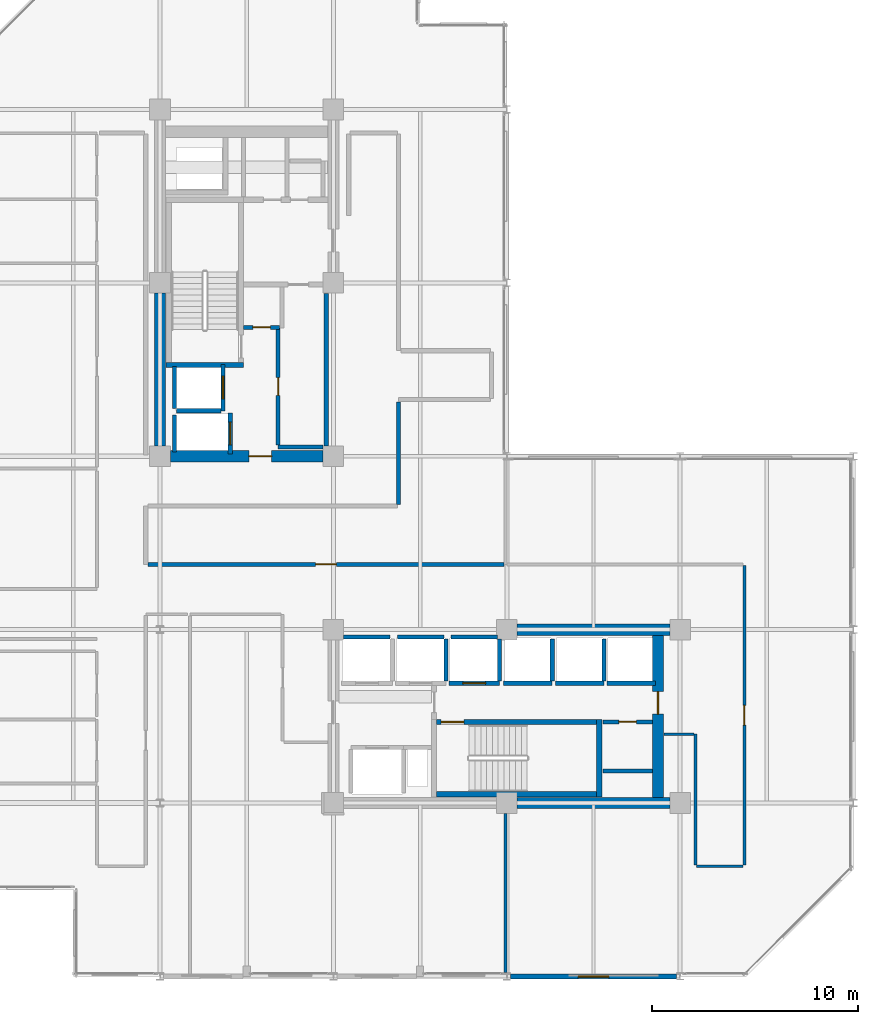
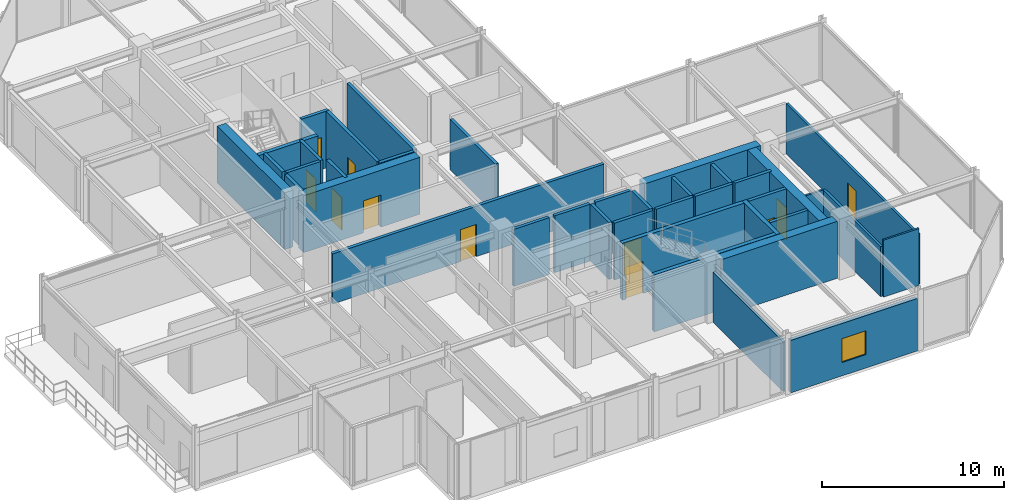
# One storey, part 25 of 29: 39 walls, 11 doors, 1 window, 12 openings.
"""IFC4 building model written with IfcOpenShell, lengths in metres."""

from ifc_helpers import new_model, si_unit, direction, frame, frame_2d, origin, place, context, subcontext, project, spatial, rectangle, extrude, material, layer, layer_set, type_object, element, fill, save


model = new_model("IFC4")

# Units and contexts
model_context = context("Model", 3, precision=1e-05, world=origin(), true_north=direction((0.0, 1.0)))
body_context = subcontext(model_context, "Body", "Model", "MODEL_VIEW")
ifc_project = project(units=[si_unit("LENGTHUNIT", "METRE"), si_unit("AREAUNIT", "SQUARE_METRE"), si_unit("VOLUMEUNIT", "CUBIC_METRE"), si_unit("PLANEANGLEUNIT", "RADIAN"), si_unit("MASSUNIT", "GRAM", prefix="KILO")], contexts=[model_context])

# Site, building, storey
site_placement = place(None, origin())
site = spatial("IfcSite", under=ifc_project, at=site_placement, CompositionType="ELEMENT")
building_placement = place(site_placement, origin())
building = spatial("IfcBuilding", under=site, at=building_placement, Name="Nerrivon Quay Data Exchange", CompositionType="ELEMENT")
storey_placement = place(building_placement, frame((0.0, 0.0, 183.699951171875)))
storey = spatial("IfcBuildingStorey", under=building, at=storey_placement, Name="L43", CompositionType="ELEMENT", Elevation=183.699951171875)

# Wall, opening, window
ifc_material_1 = material(Name="Architectural terracotta precast concrete N50 (50 MPa)", Category="masonry")
ifc_layer_1 = layer(ifc_material_1, 0.239990234375)
ifc_layer_set_1 = layer_set([ifc_layer_1], Name="Architectural terracotta precast concrete N50 (50 MPa)")
wall_type_1 = type_object("IfcWallType", Name="EW-PREC-240", PredefinedType="STANDARD", material=ifc_layer_set_1)
wall_1_placement = place(storey_placement, frame((33.425048828125, 0.0, 0.0), z_axis=(0.0, 0.0, 1.0), x_axis=(-1.0, 0.0, 0.0)))
wall_1 = element("IfcWall", 1, at=wall_1_placement, inside=storey, type_object=wall_type_1, Name="L43 Podium Precast Spandrel Wall 23", PredefinedType="STANDARD", context=body_context, shape_type="SweptSolid", body=[
    extrude(rectangle(XDim=8.050048828125, YDim=0.239990234375, at=frame_2d((4.02490234375, 0.0))), origin(), (0.0, 0.0, 1.0), 3.525146484375),
])
opening_1_placement = place(wall_1_placement, frame((3.27490234375, 0.0, 0.89990234375)))
opening_1 = element("IfcOpeningElement", 2, at=opening_1_placement, cuts=wall_1, Name="Opening WN4", PredefinedType="OPENING", context=body_context, shape_type="SweptSolid", body=[
    extrude(rectangle(XDim=1.5, YDim=1.60009765625, at=frame_2d((0.75, 0.800048828125))), frame((0.0, 0.1298828125, 0.0), z_axis=(0.0, -1.0, 0.0), x_axis=(1.0, 0.0, 0.0)), (0.0, 0.0, 1.0), 0.260009765625),
])
ifc_material_2 = material(Name="Double-glazed low-E solar control glass", Category="glass")
window_type = type_object("IfcWindowType", Name="WIN-W4-1500x1600", PartitioningType="SINGLE_PANEL", PredefinedType="WINDOW", material=ifc_material_2)
window_placement = place(opening_1_placement, origin())
window = element("IfcWindow", 3, at=window_placement, inside=storey, type_object=window_type, Name="L43 Solar Facade Window 23", OverallHeight=1.60009765625, OverallWidth=1.5, PartitioningType="SINGLE_PANEL", PredefinedType="WINDOW", context=body_context, shape_type="SweptSolid", body=[
    extrude(rectangle(XDim=1.5, YDim=1.60009765625, at=frame_2d((0.75, 0.800048828125))), frame((0.0, 0.030029296875, 0.0), z_axis=(0.0, -1.0, 0.0), x_axis=(1.0, 0.0, 0.0)), (0.0, 0.0, 1.0), 0.06005859375),
])
fill(opening_1, window)

# Wall
ifc_material_3 = material(Name="Concrete S65 (65 MPa)", Category="concrete")
ifc_layer_2 = layer(ifc_material_3, 0.550048828125)
ifc_layer_set_2 = layer_set([ifc_layer_2], Name="Concrete S65 (65 MPa)")
wall_type_2 = type_object("IfcWallType", Name="WALL-CW-700", PredefinedType="SHEAR", material=ifc_layer_set_2)
wall_2_placement = place(storey_placement, frame((8.39990234375, 25.699951171875, 0.0), z_axis=(0.0, 0.0, 1.0), x_axis=(0.0, 1.0, 0.0)))
element("IfcWall", 4, at=wall_2_placement, inside=storey, type_object=wall_type_2, Name="L43 West Split-Core Shear Wall WCW-W1", PredefinedType="SHEAR", context=body_context, shape_type="SweptSolid", body=[
    extrude(rectangle(XDim=7.400146484375, YDim=0.550048828125, at=frame_2d((3.7001953125, 0.0))), origin(), (0.0, 0.0, 1.0), 3.824951171875),
])

# Wall, opening, door
wall_3_placement = place(storey_placement, frame((8.89990234375, 25.199951171875, 0.0), z_axis=(0.0, 0.0, 1.0), x_axis=(1.0, 0.0, 0.0)))
wall_3 = element("IfcWall", 5, at=wall_3_placement, inside=storey, type_object=wall_type_2, Name="L43 West Split-Core Shear Wall WCW-S1", PredefinedType="SHEAR", context=body_context, shape_type="SweptSolid", body=[
    extrude(rectangle(XDim=7.400146484375, YDim=0.550048828125, at=frame_2d((3.7001953125, 0.0))), origin(), (0.0, 0.0, 1.0), 3.824951171875),
])
opening_2_placement = place(wall_3_placement, frame((3.800048828125, 0.0, 0.0)))
opening_2 = element("IfcOpeningElement", 6, at=opening_2_placement, cuts=wall_3, Name="Opening FD-120", PredefinedType="OPENING", context=body_context, shape_type="SweptSolid", body=[
    extrude(rectangle(XDim=1.10009765625, YDim=2.14990234375, at=frame_2d((0.550048828125, 1.074951171875))), frame((0.0, 0.284912109375, 0.0), z_axis=(0.0, -1.0, 0.0), x_axis=(1.0, 0.0, 0.0)), (0.0, 0.0, 1.0), 0.570068359375),
])
ifc_material_4 = material(Name="Powder-coated galvanized steel sheet", Category="steel")
door_type_1 = type_object("IfcDoorType", Name="DR-FD120-1100", OperationType="NOTDEFINED", PredefinedType="DOOR", material=ifc_material_4)
door_1_placement = place(opening_2_placement, origin())
door_1 = element("IfcDoor", 7, at=door_1_placement, inside=storey, type_object=door_type_1, Name="L43 West Core Lobby Fire Door", OperationType="SINGLE_SWING_RIGHT", OverallHeight=2.14990234375, OverallWidth=1.10009765625, PredefinedType="DOOR", context=body_context, shape_type="SweptSolid", body=[
    extrude(rectangle(XDim=1.10009765625, YDim=2.14990234375, at=frame_2d((0.550048828125, 1.074951171875))), frame((0.0, 0.02490234375, 0.0), z_axis=(0.0, -1.0, 0.0), x_axis=(1.0, 0.0, 0.0)), (0.0, 0.0, 1.0), 0.050048828125),
])
fill(opening_2, door_1)

# Wall
wall_4_placement = place(storey_placement, frame((25.699951171875, 8.39990234375, 0.0), z_axis=(0.0, 0.0, 1.0), x_axis=(1.0, 0.0, 0.0)))
element("IfcWall", 8, at=wall_4_placement, inside=storey, type_object=wall_type_2, Name="L43 East Split-Core Shear Wall ECW-S2", PredefinedType="SHEAR", context=body_context, shape_type="SweptSolid", body=[
    extrude(rectangle(XDim=7.400146484375, YDim=0.550048828125, at=frame_2d((3.7001953125, 0.0))), origin(), (0.0, 0.0, 1.0), 3.824951171875),
])

# Wall, opening, door
wall_5_placement = place(storey_placement, frame((32.52490234375, 8.675048828125, 0.0), z_axis=(0.0, 0.0, 1.0), x_axis=(0.0, 1.0, 0.0)))
wall_5 = element("IfcWall", 9, at=wall_5_placement, inside=storey, type_object=wall_type_2, Name="L43 East Split-Core Shear Wall ECW-E1", PredefinedType="SHEAR", context=body_context, shape_type="SweptSolid", body=[
    extrude(rectangle(XDim=7.849853515625, YDim=0.550048828125, at=frame_2d((3.9248046875, 0.0))), origin(), (0.0, 0.0, 1.0), 3.824951171875),
])
opening_3_placement = place(wall_5_placement, frame((4.02490234375, 0.0, 0.0)))
opening_3 = element("IfcOpeningElement", 10, at=opening_3_placement, cuts=wall_5, Name="Opening FD-120", PredefinedType="OPENING", context=body_context, shape_type="SweptSolid", body=[
    extrude(rectangle(XDim=1.10009765625, YDim=2.14990234375, at=frame_2d((0.550048828125, 1.074951171875))), frame((0.0, 0.284912109375, 0.0), z_axis=(0.0, -1.0, 0.0), x_axis=(1.0, 0.0, 0.0)), (0.0, 0.0, 1.0), 0.570068359375),
])
door_2_placement = place(opening_3_placement, origin())
door_2 = element("IfcDoor", 11, at=door_2_placement, inside=storey, type_object=door_type_1, Name="L43 East Core Lobby Fire Door", OperationType="SINGLE_SWING_LEFT", OverallHeight=2.14990234375, OverallWidth=1.10009765625, PredefinedType="DOOR", context=body_context, shape_type="SweptSolid", body=[
    extrude(rectangle(XDim=1.10009765625, YDim=2.14990234375, at=frame_2d((0.550048828125, 1.074951171875))), frame((0.0, 0.02490234375, 0.0), z_axis=(0.0, -1.0, 0.0), x_axis=(1.0, 0.0, 0.0)), (0.0, 0.0, 1.0), 0.050048828125),
])
fill(opening_3, door_2)

# Wall
wall_6_placement = place(storey_placement, frame((25.699951171875, 16.800048828125, 0.0), z_axis=(0.0, 0.0, 1.0), x_axis=(1.0, 0.0, 0.0)))
element("IfcWall", 12, at=wall_6_placement, inside=storey, type_object=wall_type_2, Name="L43 East Split-Core Shear Wall ECW-N1", PredefinedType="SHEAR", context=body_context, shape_type="SweptSolid", body=[
    extrude(rectangle(XDim=7.400146484375, YDim=0.550048828125, at=frame_2d((3.7001953125, 0.0))), origin(), (0.0, 0.0, 1.0), 3.824951171875),
])

# Wall, opening, door
ifc_material_5 = material(Name="Gypsum plasterboard on cold-formed framing", Category="gypsum")
ifc_layer_3 = layer(ifc_material_5, 0.199951171875)
ifc_layer_set_3 = layer_set([ifc_layer_3], Name="Gypsum plasterboard on cold-formed framing")
wall_type_3 = type_object("IfcWallType", Name="WALL-FW-200", PredefinedType="PARTITIONING", material=ifc_layer_set_3)
wall_7_placement = place(storey_placement, frame((11.449951171875, 27.39990234375, 0.0), z_axis=(0.0, 0.0, 1.0), x_axis=(0.0, 1.0, 0.0)))
wall_7 = element("IfcWall", 13, at=wall_7_placement, inside=storey, type_object=wall_type_3, Name="L43 Lift Front Wall FFL-1", PredefinedType="PARTITIONING", context=body_context, shape_type="SweptSolid", body=[
    extrude(rectangle(XDim=2.25, YDim=0.199951171875, at=frame_2d((1.125, 0.0))), origin(), (0.0, 0.0, 1.0), 3.824951171875),
])
opening_4_placement = place(wall_7_placement, frame((0.574951171875, 0.0, 0.0)))
opening_4 = element("IfcOpeningElement", 14, at=opening_4_placement, cuts=wall_7, Name="Opening LD-120", PredefinedType="OPENING", context=body_context, shape_type="SweptSolid", body=[
    extrude(rectangle(XDim=1.10009765625, YDim=2.199951171875, at=frame_2d((0.550048828125, 1.10009765625))), frame((0.0, 0.10986328125, 0.0), z_axis=(0.0, -1.0, 0.0), x_axis=(1.0, 0.0, 0.0)), (0.0, 0.0, 1.0), 0.219970703125),
])
door_type_2 = type_object("IfcDoorType", Name="DR-LIFT-LD120", OperationType="DOUBLE_DOOR_SLIDING", PredefinedType="DOOR", material=ifc_material_4)
door_3_placement = place(opening_4_placement, origin())
door_3 = element("IfcDoor", 15, at=door_3_placement, inside=storey, type_object=door_type_2, Name="L43 Lift Landing Sliding Door FFL-1", OperationType="DOUBLE_DOOR_SLIDING", OverallHeight=2.199951171875, OverallWidth=1.10009765625, PredefinedType="DOOR", context=body_context, shape_type="SweptSolid", body=[
    extrude(rectangle(XDim=1.10009765625, YDim=2.199951171875, at=frame_2d((0.550048828125, 1.10009765625))), frame((0.0, 0.02490234375, 0.0), z_axis=(0.0, -1.0, 0.0), x_axis=(1.0, 0.0, 0.0)), (0.0, 0.0, 1.0), 0.050048828125),
])
fill(opening_4, door_3)

# Walls
wall_8_placement = place(storey_placement, frame((9.10009765625, 27.5, 0.0), z_axis=(0.0, 0.0, 1.0), x_axis=(0.0, 1.0, 0.0)))
element("IfcWall", 16, at=wall_8_placement, inside=storey, type_object=wall_type_3, Name="L43 Lift Shaft Wall FFL-1 WEST", PredefinedType="PARTITIONING", context=body_context, shape_type="SweptSolid", body=[
    extrude(rectangle(XDim=2.050048828125, YDim=0.199951171875, at=frame_2d((1.02490234375, 0.0))), origin(), (0.0, 0.0, 1.0), 3.824951171875),
])
wall_9_placement = place(storey_placement, frame((9.199951171875, 27.39990234375, 0.0), z_axis=(0.0, 0.0, 1.0), x_axis=(1.0, 0.0, 0.0)))
element("IfcWall", 17, at=wall_9_placement, inside=storey, type_object=wall_type_3, Name="L43 Lift Shaft Wall FFL-1 SOUTH", PredefinedType="PARTITIONING", context=body_context, shape_type="SweptSolid", body=[
    extrude(rectangle(XDim=2.150146484375, YDim=0.199951171875, at=frame_2d((1.0751953125, 0.0))), origin(), (0.0, 0.0, 1.0), 3.824951171875),
])

# Wall, opening, door
wall_10_placement = place(storey_placement, frame((11.800048828125, 25.300048828125, 0.0), z_axis=(0.0, 0.0, 1.0), x_axis=(0.0, 1.0, 0.0)))
wall_10 = element("IfcWall", 18, at=wall_10_placement, inside=storey, type_object=wall_type_3, Name="L43 Lift Front Wall SVL-1", PredefinedType="PARTITIONING", context=body_context, shape_type="SweptSolid", body=[
    extrude(rectangle(XDim=2.0, YDim=0.199951171875, at=frame_2d((1.0, 0.0))), origin(), (0.0, 0.0, 1.0), 3.824951171875),
])
opening_5_placement = place(wall_10_placement, frame((0.449951171875, 0.0, 0.0)))
opening_5 = element("IfcOpeningElement", 19, at=opening_5_placement, cuts=wall_10, Name="Opening LD-120", PredefinedType="OPENING", context=body_context, shape_type="SweptSolid", body=[
    extrude(rectangle(XDim=1.10009765625, YDim=2.199951171875, at=frame_2d((0.550048828125, 1.10009765625))), frame((0.0, 0.10986328125, 0.0), z_axis=(0.0, -1.0, 0.0), x_axis=(1.0, 0.0, 0.0)), (0.0, 0.0, 1.0), 0.219970703125),
])
door_4_placement = place(opening_5_placement, origin())
door_4 = element("IfcDoor", 20, at=door_4_placement, inside=storey, type_object=door_type_2, Name="L43 Lift Landing Sliding Door SVL-1", OperationType="DOUBLE_DOOR_SLIDING", OverallHeight=2.199951171875, OverallWidth=1.10009765625, PredefinedType="DOOR", context=body_context, shape_type="SweptSolid", body=[
    extrude(rectangle(XDim=1.10009765625, YDim=2.199951171875, at=frame_2d((0.550048828125, 1.10009765625))), frame((0.0, 0.02490234375, 0.0), z_axis=(0.0, -1.0, 0.0), x_axis=(1.0, 0.0, 0.0)), (0.0, 0.0, 1.0), 0.050048828125),
])
fill(opening_5, door_4)

# Walls
wall_11_placement = place(storey_placement, frame((9.10009765625, 25.39990234375, 0.0), z_axis=(0.0, 0.0, 1.0), x_axis=(0.0, 1.0, 0.0)))
element("IfcWall", 21, at=wall_11_placement, inside=storey, type_object=wall_type_3, Name="L43 Lift Shaft Wall SVL-1 WEST", PredefinedType="PARTITIONING", context=body_context, shape_type="SweptSolid", body=[
    extrude(rectangle(XDim=1.800048828125, YDim=0.199951171875, at=frame_2d((0.89990234375, 0.0))), origin(), (0.0, 0.0, 1.0), 3.824951171875),
])
wall_12_placement = place(storey_placement, frame((17.300048828125, 16.449951171875, 0.0), z_axis=(0.0, 0.0, 1.0), x_axis=(1.0, 0.0, 0.0)))
element("IfcWall", 22, at=wall_12_placement, inside=storey, type_object=wall_type_3, Name="L43 Lift Shaft Wall PL4 NORTH", PredefinedType="PARTITIONING", context=body_context, shape_type="SweptSolid", body=[
    extrude(rectangle(XDim=2.25, YDim=0.199951171875, at=frame_2d((1.125, 0.0))), origin(), (0.0, 0.0, 1.0), 3.824951171875),
])
wall_13_placement = place(storey_placement, frame((22.25, 14.300048828125, 0.0), z_axis=(0.0, 0.0, 1.0), x_axis=(0.0, 1.0, 0.0)))
element("IfcWall", 23, at=wall_13_placement, inside=storey, type_object=wall_type_3, Name="L43 Lift Shaft Wall PL5 EAST", PredefinedType="PARTITIONING", context=body_context, shape_type="SweptSolid", body=[
    extrude(rectangle(XDim=2.050048828125, YDim=0.199951171875, at=frame_2d((1.02490234375, 0.0))), origin(), (0.0, 0.0, 1.0), 3.824951171875),
])
wall_14_placement = place(storey_placement, frame((19.89990234375, 16.449951171875, 0.0), z_axis=(0.0, 0.0, 1.0), x_axis=(1.0, 0.0, 0.0)))
element("IfcWall", 24, at=wall_14_placement, inside=storey, type_object=wall_type_3, Name="L43 Lift Shaft Wall PL5 NORTH", PredefinedType="PARTITIONING", context=body_context, shape_type="SweptSolid", body=[
    extrude(rectangle(XDim=2.25, YDim=0.199951171875, at=frame_2d((1.125, 0.0))), origin(), (0.0, 0.0, 1.0), 3.824951171875),
])

# Wall, opening, door
wall_15_placement = place(storey_placement, frame((22.39990234375, 14.199951171875, 0.0), z_axis=(0.0, 0.0, 1.0), x_axis=(1.0, 0.0, 0.0)))
wall_15 = element("IfcWall", 25, at=wall_15_placement, inside=storey, type_object=wall_type_3, Name="L43 Lift Front Wall PL6", PredefinedType="PARTITIONING", context=body_context, shape_type="SweptSolid", body=[
    extrude(rectangle(XDim=2.4501953125, YDim=0.199951171875, at=frame_2d((1.22509765625, 0.0))), origin(), (0.0, 0.0, 1.0), 3.824951171875),
])
opening_6_placement = place(wall_15_placement, frame((0.675048828125, 0.0, 0.0)))
opening_6 = element("IfcOpeningElement", 26, at=opening_6_placement, cuts=wall_15, Name="Opening LD-120", PredefinedType="OPENING", context=body_context, shape_type="SweptSolid", body=[
    extrude(rectangle(XDim=1.10009765625, YDim=2.199951171875, at=frame_2d((0.550048828125, 1.10009765625))), frame((0.0, 0.10986328125, 0.0), z_axis=(0.0, -1.0, 0.0), x_axis=(1.0, 0.0, 0.0)), (0.0, 0.0, 1.0), 0.219970703125),
])
door_5_placement = place(opening_6_placement, origin())
door_5 = element("IfcDoor", 27, at=door_5_placement, inside=storey, type_object=door_type_2, Name="L43 Lift Landing Sliding Door PL6", OperationType="DOUBLE_DOOR_SLIDING", OverallHeight=2.199951171875, OverallWidth=1.10009765625, PredefinedType="DOOR", context=body_context, shape_type="SweptSolid", body=[
    extrude(rectangle(XDim=1.10009765625, YDim=2.199951171875, at=frame_2d((0.550048828125, 1.10009765625))), frame((0.0, 0.02490234375, 0.0), z_axis=(0.0, -1.0, 0.0), x_axis=(1.0, 0.0, 0.0)), (0.0, 0.0, 1.0), 0.050048828125),
])
fill(opening_6, door_5)

# Walls
wall_16_placement = place(storey_placement, frame((24.85009765625, 14.300048828125, 0.0), z_axis=(0.0, 0.0, 1.0), x_axis=(0.0, 1.0, 0.0)))
element("IfcWall", 28, at=wall_16_placement, inside=storey, type_object=wall_type_3, Name="L43 Lift Shaft Wall PL6 EAST", PredefinedType="PARTITIONING", context=body_context, shape_type="SweptSolid", body=[
    extrude(rectangle(XDim=2.050048828125, YDim=0.199951171875, at=frame_2d((1.02490234375, 0.0))), origin(), (0.0, 0.0, 1.0), 3.824951171875),
])
wall_17_placement = place(storey_placement, frame((22.5, 16.449951171875, 0.0), z_axis=(0.0, 0.0, 1.0), x_axis=(1.0, 0.0, 0.0)))
element("IfcWall", 29, at=wall_17_placement, inside=storey, type_object=wall_type_3, Name="L43 Lift Shaft Wall PL6 NORTH", PredefinedType="PARTITIONING", context=body_context, shape_type="SweptSolid", body=[
    extrude(rectangle(XDim=2.25, YDim=0.199951171875, at=frame_2d((1.125, 0.0))), origin(), (0.0, 0.0, 1.0), 3.824951171875),
])
wall_18_placement = place(storey_placement, frame((25.050048828125, 14.199951171875, 0.0), z_axis=(0.0, 0.0, 1.0), x_axis=(1.0, 0.0, 0.0)))
element("IfcWall", 30, at=wall_18_placement, inside=storey, type_object=wall_type_3, Name="L43 Lift Front Wall PL7", PredefinedType="PARTITIONING", context=body_context, shape_type="SweptSolid", body=[
    extrude(rectangle(XDim=2.349853515625, YDim=0.199951171875, at=frame_2d((1.1748046875, 0.0))), origin(), (0.0, 0.0, 1.0), 3.824951171875),
])
wall_19_placement = place(storey_placement, frame((27.39990234375, 14.300048828125, 0.0), z_axis=(0.0, 0.0, 1.0), x_axis=(0.0, 1.0, 0.0)))
element("IfcWall", 31, at=wall_19_placement, inside=storey, type_object=wall_type_3, Name="L43 Lift Shaft Wall PL7 EAST", PredefinedType="PARTITIONING", context=body_context, shape_type="SweptSolid", body=[
    extrude(rectangle(XDim=2.050048828125, YDim=0.199951171875, at=frame_2d((1.02490234375, 0.0))), origin(), (0.0, 0.0, 1.0), 3.824951171875),
])
wall_20_placement = place(storey_placement, frame((27.550048828125, 14.199951171875, 0.0), z_axis=(0.0, 0.0, 1.0), x_axis=(1.0, 0.0, 0.0)))
element("IfcWall", 32, at=wall_20_placement, inside=storey, type_object=wall_type_3, Name="L43 Lift Front Wall PL8", PredefinedType="PARTITIONING", context=body_context, shape_type="SweptSolid", body=[
    extrude(rectangle(XDim=2.349853515625, YDim=0.199951171875, at=frame_2d((1.1748046875, 0.0))), origin(), (0.0, 0.0, 1.0), 3.824951171875),
])
wall_21_placement = place(storey_placement, frame((29.89990234375, 14.300048828125, 0.0), z_axis=(0.0, 0.0, 1.0), x_axis=(0.0, 1.0, 0.0)))
element("IfcWall", 33, at=wall_21_placement, inside=storey, type_object=wall_type_3, Name="L43 Lift Shaft Wall PL8 EAST", PredefinedType="PARTITIONING", context=body_context, shape_type="SweptSolid", body=[
    extrude(rectangle(XDim=2.050048828125, YDim=0.199951171875, at=frame_2d((1.02490234375, 0.0))), origin(), (0.0, 0.0, 1.0), 3.824951171875),
])
wall_22_placement = place(storey_placement, frame((30.050048828125, 14.199951171875, 0.0), z_axis=(0.0, 0.0, 1.0), x_axis=(1.0, 0.0, 0.0)))
element("IfcWall", 34, at=wall_22_placement, inside=storey, type_object=wall_type_3, Name="L43 Lift Front Wall PL9", PredefinedType="PARTITIONING", context=body_context, shape_type="SweptSolid", body=[
    extrude(rectangle(XDim=2.349853515625, YDim=0.199951171875, at=frame_2d((1.1748046875, 0.0))), origin(), (0.0, 0.0, 1.0), 3.824951171875),
])
wall_23_placement = place(storey_placement, frame((14.1201171875, 25.64990234375, 0.0), z_axis=(0.0, 0.0, 1.0), x_axis=(1.0, 0.0, 0.0)))
element("IfcWall", 35, at=wall_23_placement, inside=storey, type_object=wall_type_3, Name="L43 Partition Core Equipment Store", PredefinedType="PARTITIONING", context=body_context, shape_type="SweptSolid", body=[
    extrude(rectangle(XDim=2.1748046875, YDim=0.199951171875, at=frame_2d((1.08740234375, 0.0))), origin(), (0.0, 0.0, 1.0), 3.824951171875),
])
wall_24_placement = place(storey_placement, frame((16.449951171875, 25.705078125, 0.0), z_axis=(0.0, 0.0, 1.0), x_axis=(0.0, 1.0, 0.0)))
element("IfcWall", 36, at=wall_24_placement, inside=storey, type_object=wall_type_3, Name="L43 Partition Core Equipment Store", PredefinedType="PARTITIONING", context=body_context, shape_type="SweptSolid", body=[
    extrude(rectangle(XDim=7.389892578125, YDim=0.199951171875, at=frame_2d((3.69482421875, 0.0))), origin(), (0.0, 0.0, 1.0), 3.824951171875),
])

# Wall, opening, door
wall_25_placement = place(storey_placement, frame((14.1201171875, 31.39990234375, 0.0), z_axis=(0.0, 0.0, 1.0), x_axis=(0.0, -1.0, 0.0)))
wall_25 = element("IfcWall", 37, at=wall_25_placement, inside=storey, type_object=wall_type_3, Name="L43 Partition Core Equipment Store", PredefinedType="PARTITIONING", context=body_context, shape_type="SweptSolid", body=[
    extrude(rectangle(XDim=5.64599609375, YDim=0.199951171875, at=frame_2d((2.822998046875, 0.0))), origin(), (0.0, 0.0, 1.0), 3.824951171875),
])
opening_7_placement = place(wall_25_placement, frame((2.39794921875, 0.0, 0.0)))
opening_7 = element("IfcOpeningElement", 38, at=opening_7_placement, cuts=wall_25, Name="Opening FD-60S", PredefinedType="OPENING", context=body_context, shape_type="SweptSolid", body=[
    extrude(rectangle(XDim=0.85009765625, YDim=2.14990234375, at=frame_2d((0.425048828125, 1.074951171875))), frame((0.0, 0.10986328125, 0.0), z_axis=(0.0, -1.0, 0.0), x_axis=(1.0, 0.0, 0.0)), (0.0, 0.0, 1.0), 0.219970703125),
])
ifc_material_6 = material(Name="Engineered hardwood timber", Category="wood")
door_type_3 = type_object("IfcDoorType", Name="DR-FD60-850", OperationType="NOTDEFINED", PredefinedType="DOOR", material=ifc_material_6)
door_6_placement = place(opening_7_placement, origin())
door_6 = element("IfcDoor", 39, at=door_6_placement, inside=storey, type_object=door_type_3, Name="L43 Door Core Equipment Store", OperationType="SINGLE_SWING_LEFT", OverallHeight=2.14990234375, OverallWidth=0.85009765625, PredefinedType="DOOR", context=body_context, shape_type="SweptSolid", body=[
    extrude(rectangle(XDim=0.85009765625, YDim=2.14990234375, at=frame_2d((0.425048828125, 1.074951171875))), frame((0.0, 0.02490234375, 0.0), z_axis=(0.0, -1.0, 0.0), x_axis=(1.0, 0.0, 0.0)), (0.0, 0.0, 1.0), 0.050048828125),
])
fill(opening_7, door_6)

wall_26_placement = place(storey_placement, frame((12.4541015625, 31.43994140625, 0.0), z_axis=(0.0, 0.0, 1.0), x_axis=(1.0, 0.0, 0.0)))
wall_26 = element("IfcWall", 40, at=wall_26_placement, inside=storey, type_object=wall_type_3, Name="L43 Partition Optical Patch Closet", PredefinedType="PARTITIONING", context=body_context, shape_type="SweptSolid", body=[
    extrude(rectangle(XDim=1.725830078125, YDim=0.199951171875, at=frame_2d((0.86279296875, 0.0))), origin(), (0.0, 0.0, 1.0), 3.824951171875),
])
opening_8_placement = place(wall_26_placement, frame((0.43798828125, 0.0, 0.0)))
opening_8 = element("IfcOpeningElement", 41, at=opening_8_placement, cuts=wall_26, Name="Opening FD-60S", PredefinedType="OPENING", context=body_context, shape_type="SweptSolid", body=[
    extrude(rectangle(XDim=0.85009765625, YDim=2.14990234375, at=frame_2d((0.425048828125, 1.074951171875))), frame((0.0, 0.10986328125, 0.0), z_axis=(0.0, -1.0, 0.0), x_axis=(1.0, 0.0, 0.0)), (0.0, 0.0, 1.0), 0.219970703125),
])
door_7_placement = place(opening_8_placement, origin())
door_7 = element("IfcDoor", 42, at=door_7_placement, inside=storey, type_object=door_type_3, Name="L43 Door Optical Patch Closet", OperationType="SINGLE_SWING_RIGHT", OverallHeight=2.14990234375, OverallWidth=0.85009765625, PredefinedType="DOOR", context=body_context, shape_type="SweptSolid", body=[
    extrude(rectangle(XDim=0.85009765625, YDim=2.14990234375, at=frame_2d((0.425048828125, 1.074951171875))), frame((0.0, 0.02490234375, 0.0), z_axis=(0.0, -1.0, 0.0), x_axis=(1.0, 0.0, 0.0)), (0.0, 0.0, 1.0), 0.050048828125),
])
fill(opening_8, door_7)

wall_27_placement = place(storey_placement, frame((32.24609375, 12.330078125, 0.0), z_axis=(0.0, 0.0, 1.0), x_axis=(-1.0, 0.0, 0.0)))
wall_27 = element("IfcWall", 43, at=wall_27_placement, inside=storey, type_object=wall_type_3, Name="L43 Partition East Supply Store", PredefinedType="PARTITIONING", context=body_context, shape_type="SweptSolid", body=[
    extrude(rectangle(XDim=2.39599609375, YDim=0.199951171875, at=frame_2d((1.197998046875, 0.0))), origin(), (0.0, 0.0, 1.0), 3.824951171875),
])
opening_9_placement = place(wall_27_placement, frame((0.77294921875, 0.0, 0.0)))
opening_9 = element("IfcOpeningElement", 44, at=opening_9_placement, cuts=wall_27, Name="Opening FD-60S", PredefinedType="OPENING", context=body_context, shape_type="SweptSolid", body=[
    extrude(rectangle(XDim=0.85009765625, YDim=2.14990234375, at=frame_2d((0.425048828125, 1.074951171875))), frame((0.0, 0.10986328125, 0.0), z_axis=(0.0, -1.0, 0.0), x_axis=(1.0, 0.0, 0.0)), (0.0, 0.0, 1.0), 0.219970703125),
])
door_8_placement = place(opening_9_placement, origin())
door_8 = element("IfcDoor", 45, at=door_8_placement, inside=storey, type_object=door_type_3, Name="L43 Door East Supply Store", OperationType="SINGLE_SWING_LEFT", OverallHeight=2.14990234375, OverallWidth=0.85009765625, PredefinedType="DOOR", context=body_context, shape_type="SweptSolid", body=[
    extrude(rectangle(XDim=0.85009765625, YDim=2.14990234375, at=frame_2d((0.425048828125, 1.074951171875))), frame((0.0, 0.02490234375, 0.0), z_axis=(0.0, -1.0, 0.0), x_axis=(1.0, 0.0, 0.0)), (0.0, 0.0, 1.0), 0.050048828125),
])
fill(opening_9, door_8)

# Wall
wall_28_placement = place(storey_placement, frame((29.85009765625, 9.949951171875, 0.0), z_axis=(0.0, 0.0, 1.0), x_axis=(1.0, 0.0, 0.0)))
element("IfcWall", 46, at=wall_28_placement, inside=storey, type_object=wall_type_3, Name="L43 Partition East Supply Store", PredefinedType="PARTITIONING", context=body_context, shape_type="SweptSolid", body=[
    extrude(rectangle(XDim=2.39599609375, YDim=0.199951171875, at=frame_2d((1.197998046875, 0.0))), origin(), (0.0, 0.0, 1.0), 3.824951171875),
])

# Wall, opening, door
wall_29_placement = place(storey_placement, frame((7.81396484375, 19.9599609375, 0.0), z_axis=(0.0, 0.0, 1.0), x_axis=(1.0, 0.0, 0.0)))
wall_29 = element("IfcWall", 47, at=wall_29_placement, inside=storey, type_object=wall_type_3, Name="L43 Partition Colocation Data Workspace 1", PredefinedType="PARTITIONING", context=body_context, shape_type="SweptSolid", body=[
    extrude(rectangle(XDim=17.25244140625, YDim=0.199951171875, at=frame_2d((8.626220703125, 0.0))), origin(), (0.0, 0.0, 1.0), 3.37109375),
])
opening_10_placement = place(wall_29_placement, frame((8.126220703125, 0.0, 0.0)))
opening_10 = element("IfcOpeningElement", 48, at=opening_10_placement, cuts=wall_29, Name="Opening FD-60", PredefinedType="OPENING", context=body_context, shape_type="SweptSolid", body=[
    extrude(rectangle(XDim=1.0, YDim=2.14990234375, at=frame_2d((0.5, 1.074951171875))), frame((0.0, 0.10986328125, 0.0), z_axis=(0.0, -1.0, 0.0), x_axis=(1.0, 0.0, 0.0)), (0.0, 0.0, 1.0), 0.219970703125),
])
door_type_4 = type_object("IfcDoorType", Name="DR-FD60-1000", OperationType="NOTDEFINED", PredefinedType="DOOR", material=ifc_material_6)
door_9_placement = place(opening_10_placement, origin())
door_9 = element("IfcDoor", 49, at=door_9_placement, inside=storey, type_object=door_type_4, Name="L43 Door Colocation Data Workspace 1", OperationType="SINGLE_SWING_RIGHT", OverallHeight=2.14990234375, OverallWidth=1.0, PredefinedType="DOOR", context=body_context, shape_type="SweptSolid", body=[
    extrude(rectangle(XDim=1.0, YDim=2.14990234375, at=frame_2d((0.5, 1.074951171875))), frame((0.0, 0.02490234375, 0.0), z_axis=(0.0, -1.0, 0.0), x_axis=(1.0, 0.0, 0.0)), (0.0, 0.0, 1.0), 0.050048828125),
])
fill(opening_10, door_9)

# Walls
wall_30_placement = place(storey_placement, frame((19.9599609375, 27.8359375, 0.0), z_axis=(0.0, 0.0, 1.0), x_axis=(0.0, -1.0, 0.0)))
element("IfcWall", 50, at=wall_30_placement, inside=storey, type_object=wall_type_3, Name="L43 Partition Colocation Data Workspace 1", PredefinedType="PARTITIONING", context=body_context, shape_type="SweptSolid", body=[
    extrude(rectangle(XDim=4.98583984375, YDim=0.199951171875, at=frame_2d((2.492919921875, 0.0))), origin(), (0.0, 0.0, 1.0), 3.364990234375),
])
ifc_layer_4 = layer(ifc_material_5, 0.1201171875)
ifc_layer_set_4 = layer_set([ifc_layer_4], Name="Gypsum plasterboard on cold-formed framing")
wall_type_4 = type_object("IfcWallType", Name="WALL-PT-120", PredefinedType="PARTITIONING", material=ifc_layer_set_4)
wall_31_placement = place(storey_placement, frame((36.64990234375, 5.340087890625, 0.0), z_axis=(0.0, 0.0, 1.0), x_axis=(-1.0, 0.0, 0.0)))
element("IfcWall", 51, at=wall_31_placement, inside=storey, type_object=wall_type_4, Name="L43 Partition Technical Library", PredefinedType="PARTITIONING", context=body_context, shape_type="SweptSolid", body=[
    extrude(rectangle(XDim=2.25, YDim=0.1201171875, at=frame_2d((1.125, 0.0))), origin(), (0.0, 0.0, 1.0), 3.824951171875),
])
wall_32_placement = place(storey_placement, frame((34.260986328125, 11.739990234375, 0.0), z_axis=(0.0, 0.0, 1.0), x_axis=(-1.0, 0.0, 0.0)))
element("IfcWall", 52, at=wall_32_placement, inside=storey, type_object=wall_type_4, Name="L43 Partition Technical Library", PredefinedType="PARTITIONING", context=body_context, shape_type="SweptSolid", body=[
    extrude(rectangle(XDim=1.45703125, YDim=0.1201171875, at=frame_2d((0.728515625, 0.0))), origin(), (0.0, 0.0, 1.0), 3.37109375),
])
ifc_layer_5 = layer(ifc_material_5, 0.14990234375)
ifc_layer_set_5 = layer_set([ifc_layer_5], Name="Gypsum plasterboard on cold-formed framing")
wall_type_5 = type_object("IfcWallType", Name="WALL-PT-150", PredefinedType="PARTITIONING", material=ifc_layer_set_5)
wall_33_placement = place(storey_placement, frame((25.137939453125, 0.195068359375, 0.0), z_axis=(0.0, 0.0, 1.0), x_axis=(0.0, 1.0, 0.0)))
element("IfcWall", 53, at=wall_33_placement, inside=storey, type_object=wall_type_5, Name="L43 Partition Client Conference Room 1", PredefinedType="PARTITIONING", context=body_context, shape_type="SweptSolid", body=[
    extrude(rectangle(XDim=7.684814453125, YDim=0.14990234375, at=frame_2d((3.84228515625, 0.0))), origin(), (0.0, 0.0, 1.0), 3.37109375),
])

# Wall, opening, door
wall_34_placement = place(storey_placement, frame((36.7099609375, 19.89990234375, 0.0), z_axis=(0.0, 0.0, 1.0), x_axis=(0.0, -1.0, 0.0)))
wall_34 = element("IfcWall", 54, at=wall_34_placement, inside=storey, type_object=wall_type_5, Name="L43 Partition Technical Library", PredefinedType="PARTITIONING", context=body_context, shape_type="SweptSolid", body=[
    extrude(rectangle(XDim=14.5, YDim=0.14990234375, at=frame_2d((7.25, 0.0))), origin(), (0.0, 0.0, 1.0), 3.364990234375),
])
opening_11_placement = place(wall_34_placement, frame((6.77490234375, 0.0, 0.0)))
opening_11 = element("IfcOpeningElement", 55, at=opening_11_placement, cuts=wall_34, Name="Opening D-01", PredefinedType="OPENING", context=body_context, shape_type="SweptSolid", body=[
    extrude(rectangle(XDim=0.949951171875, YDim=2.14990234375, at=frame_2d((0.47509765625, 1.074951171875))), frame((0.0, 0.0849609375, 0.0), z_axis=(0.0, -1.0, 0.0), x_axis=(1.0, 0.0, 0.0)), (0.0, 0.0, 1.0), 0.169921875),
])
door_type_5 = type_object("IfcDoorType", Name="DR-INT-950", OperationType="NOTDEFINED", PredefinedType="DOOR", material=ifc_material_6)
door_10_placement = place(opening_11_placement, origin())
door_10 = element("IfcDoor", 56, at=door_10_placement, inside=storey, type_object=door_type_5, Name="L43 Door Technical Library", OperationType="SINGLE_SWING_LEFT", OverallHeight=2.14990234375, OverallWidth=0.949951171875, PredefinedType="DOOR", context=body_context, shape_type="SweptSolid", body=[
    extrude(rectangle(XDim=0.949951171875, YDim=2.14990234375, at=frame_2d((0.47509765625, 1.074951171875))), frame((0.0, 0.02490234375, 0.0), z_axis=(0.0, -1.0, 0.0), x_axis=(1.0, 0.0, 0.0)), (0.0, 0.0, 1.0), 0.050048828125),
])
fill(opening_11, door_10)

# Walls
wall_35_placement = place(storey_placement, frame((34.340087890625, 5.39990234375, 0.0), z_axis=(0.0, 0.0, 1.0), x_axis=(0.0, 1.0, 0.0)))
element("IfcWall", 57, at=wall_35_placement, inside=storey, type_object=wall_type_5, Name="L43 Partition Technical Library", PredefinedType="PARTITIONING", context=body_context, shape_type="SweptSolid", body=[
    extrude(rectangle(XDim=6.340087890625, YDim=0.14990234375, at=frame_2d((3.169921875, 0.0))), origin(), (0.0, 0.0, 1.0), 3.364990234375),
])
ifc_material_7 = material(Name="Concrete N50 (50 MPa)", Category="concrete")
ifc_layer_6 = layer(ifc_material_7, 0.25)
ifc_layer_set_6 = layer_set([ifc_layer_6], Name="Concrete N50 (50 MPa)")
wall_type_6 = type_object("IfcWallType", Name="WALL-SW-250", PredefinedType="SHEAR", material=ifc_layer_set_6)
for number, where, z_axis, x_axis, name in (
    (58, (12.449951171875, 29.625, 0.0), (0.0, 0.0, 1.0), (-1.0, 0.0, 0.0), "L43 ST01 Structural Stair Core Wall NEAR"),
    (59, (29.675048828125, 8.699951171875, 0.0), (0.0, 0.0, 1.0), (0.0, 1.0, 0.0), "L43 ST02 Structural Stair Core Wall FAR"),
):
    element("IfcWall", number, at=place(storey_placement, frame(where, z_axis=z_axis, x_axis=x_axis)), inside=storey, type_object=wall_type_6, Name=name, PredefinedType="SHEAR", context=body_context, shape_type="SweptSolid", body=[
        extrude(rectangle(XDim=3.75, YDim=0.25, at=frame_2d((1.875, 0.0))), origin(), (0.0, 0.0, 1.0), 3.824951171875),
    ])
wall_36_placement = place(storey_placement, frame((21.800048828125, 8.824951171875, 0.0), z_axis=(0.0, 0.0, 1.0), x_axis=(1.0, 0.0, 0.0)))
element("IfcWall", 60, at=wall_36_placement, inside=storey, type_object=wall_type_6, Name="L43 ST02 Structural Stair Core Wall LEFT", PredefinedType="SHEAR", context=body_context, shape_type="SweptSolid", body=[
    extrude(rectangle(XDim=7.75, YDim=0.25, at=frame_2d((3.875, 0.0))), origin(), (0.0, 0.0, 1.0), 3.824951171875),
])

# Wall, opening, door
wall_37_placement = place(storey_placement, frame((21.800048828125, 12.324951171875, 0.0), z_axis=(0.0, 0.0, 1.0), x_axis=(1.0, 0.0, 0.0)))
wall_37 = element("IfcWall", 61, at=wall_37_placement, inside=storey, type_object=wall_type_6, Name="L43 ST02 Structural Stair Core Wall RIGHT", PredefinedType="SHEAR", context=body_context, shape_type="SweptSolid", body=[
    extrude(rectangle(XDim=7.75, YDim=0.25, at=frame_2d((3.875, 0.0))), origin(), (0.0, 0.0, 1.0), 3.824951171875),
])
opening_12_placement = place(wall_37_placement, frame((0.219970703125, 0.0, 0.0)))
opening_12 = element("IfcOpeningElement", 62, at=opening_12_placement, cuts=wall_37, Name="Opening FD-120", PredefinedType="OPENING", context=body_context, shape_type="SweptSolid", body=[
    extrude(rectangle(XDim=1.10009765625, YDim=2.14990234375, at=frame_2d((0.550048828125, 1.074951171875))), frame((0.0, 0.135009765625, 0.0), z_axis=(0.0, -1.0, 0.0), x_axis=(1.0, 0.0, 0.0)), (0.0, 0.0, 1.0), 0.27001953125),
])
door_11_placement = place(opening_12_placement, origin())
door_11 = element("IfcDoor", 63, at=door_11_placement, inside=storey, type_object=door_type_1, Name="L43 Protected Stair Door ST02", OperationType="SINGLE_SWING_RIGHT", OverallHeight=2.14990234375, OverallWidth=1.10009765625, PredefinedType="DOOR", context=body_context, shape_type="SweptSolid", body=[
    extrude(rectangle(XDim=1.10009765625, YDim=2.14990234375, at=frame_2d((0.550048828125, 1.074951171875))), frame((0.0, 0.02490234375, 0.0), z_axis=(0.0, -1.0, 0.0), x_axis=(1.0, 0.0, 0.0)), (0.0, 0.0, 1.0), 0.050048828125),
])
fill(opening_12, door_11)

save(model, "model.ifc")
